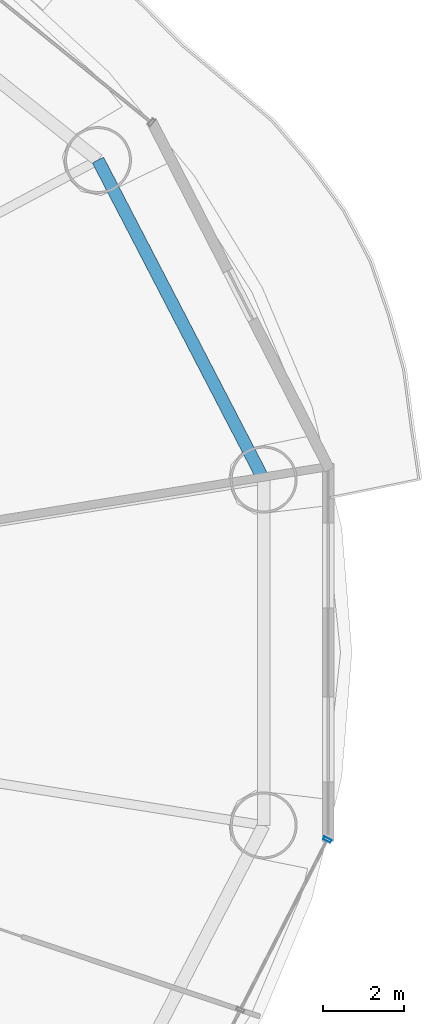
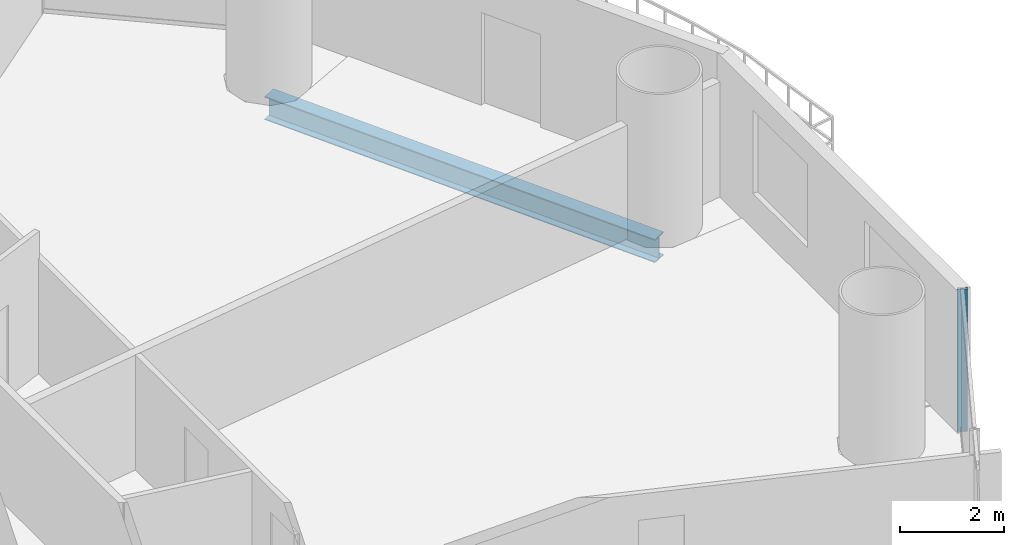
# One storey, part 12 of 28: 1 beam, 1 member, 1 element without a shape of its own.
"""IFC4 building model written with IfcOpenShell, lengths in metres."""

from ifc_helpers import new_model, si_unit, direction, frame, origin, origin_2d, place, context, subcontext, project, spatial, hollow_rectangle, i_section, extrude, source, transform, mapped, material, material_profile, profile_set, type_object, element, aggregate, save


model = new_model("IFC4")

# Units and contexts
model_context = context("Model", 3, precision=1e-05, world=origin(), true_north=direction((-0.2419218956, 0.970295726276)))
body_context = subcontext(model_context, "Body", "Model", "MODEL_VIEW")
ifc_project = project(units=[si_unit("LENGTHUNIT", "METRE"), si_unit("AREAUNIT", "SQUARE_METRE"), si_unit("VOLUMEUNIT", "CUBIC_METRE"), si_unit("PLANEANGLEUNIT", "RADIAN"), si_unit("MASSUNIT", "GRAM", prefix="KILO")], contexts=[model_context])

# Site, building, storey
site_placement = place(None, origin())
site = spatial("IfcSite", under=ifc_project, at=site_placement, CompositionType="ELEMENT")
building_placement = place(site_placement, origin())
building = spatial("IfcBuilding", under=site, at=building_placement, Name="Cobrevalo Terracotta Tower", CompositionType="ELEMENT")
storey_placement = place(building_placement, frame((0.0, 0.0, 42.0)))
storey = spatial("IfcBuildingStorey", under=building, at=storey_placement, Name="L10", CompositionType="ELEMENT", Elevation=42.0)

# Beam
ifc_material_1 = material(Name="Steel S355", Category="steel")
ifc_material_profile_1 = material_profile(ifc_material_1, i_section(OverallWidth=0.31201171875, OverallDepth=0.54296875, WebThickness=0.0126953125, FlangeThickness=0.020263671875, at=origin_2d()), Name="W 530x150")
ifc_profile_set_1 = profile_set([ifc_material_profile_1], Name="Steel S355")
beam_type = type_object("IfcBeamType", Name="Structural Spandrel W 530x150 (Steel S355)", PredefinedType="SPANDREL", material=ifc_profile_set_1)
beam_placement = place(storey_placement, frame((64.824462890625, 31.062744140625, -0.551513671875), z_axis=(-0.460285838799, 0.88777077368, 0.0), x_axis=(-0.88777077368, -0.460285838799, 0.0)))
element("IfcBeam", 1, at=beam_placement, inside=storey, type_object=beam_type, Name="L10 perimeter ring spandrel 01", PredefinedType="SPANDREL", context=body_context, shape_type="SweptSolid", body=[
    extrude(i_section(OverallWidth=0.31201171875, OverallDepth=0.54296875, WebThickness=0.0126953125, FlangeThickness=0.020263671875, at=origin_2d()), origin(), (0.0, 0.0, 1.0), 8.8720703125),
])

# Curtain wall, member
ifc_material_2 = material(Name="Anodized aluminium", Category="aluminium")
curtain_wall_type = type_object("IfcCurtainWallType", Name="Lower-tower unitised acoustic low-E curtain wall CW-U1", PredefinedType="NOTDEFINED", material=ifc_material_2)
curtain_wall_placement = place(storey_placement, origin())
curtain_wall = element("IfcCurtainWall", 2, at=curtain_wall_placement, inside=storey, type_object=curtain_wall_type, Name="L10 curtain wall CW-L10-S15", PredefinedType="NOTDEFINED")
ifc_material_profile_2 = material_profile(ifc_material_2, hollow_rectangle(XDim=0.074951171875, YDim=0.199951171875, WallThickness=0.0048828125, at=origin_2d()), Name="CWM 75x200")
ifc_profile_set_2 = profile_set([ifc_material_profile_2], Name="Anodized aluminium")
member_type = type_object("IfcMemberType", Name="Lower/mid tower unitised mullion 75x200", PredefinedType="MULLION", material=ifc_profile_set_2)
shared_shape = source(origin(), body_context, "Body", "SweptSolid", [
    extrude(hollow_rectangle(XDim=0.074951171875, YDim=0.199951171875, WallThickness=0.0048828125, at=origin_2d()), origin(), (0.0, 0.0, 1.0), 3.320068359375),
])
member_placement = place(storey_placement, frame((66.39501953125, 22.185546875, 0.0), z_axis=(0.0, 0.0, 1.0), x_axis=(0.455234136597, 0.890371765543, 0.0)))
member = element("IfcMember", 3, at=member_placement, type_object=member_type, Name="CW-L10-S15 vertical mullion 03", PredefinedType="MULLION", context=body_context, shape_type="MappedRepresentation", body=[
    mapped(shared_shape, transform((0.0, 0.0, 0.0), scale=1.0)),
])
aggregate(curtain_wall, [member])

save(model, "model.ifc")
